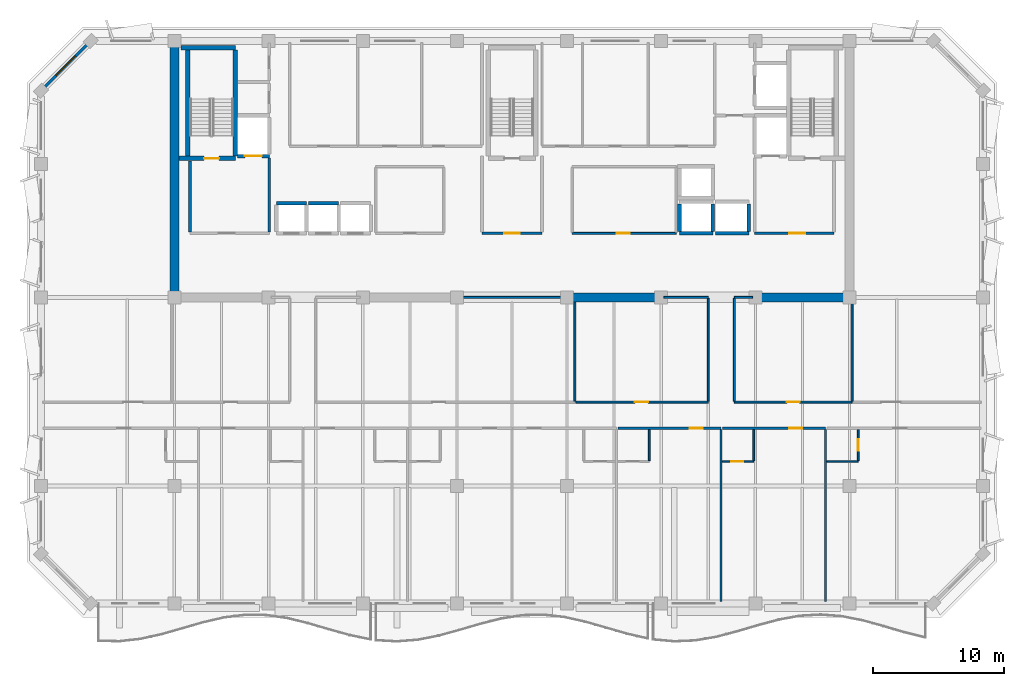
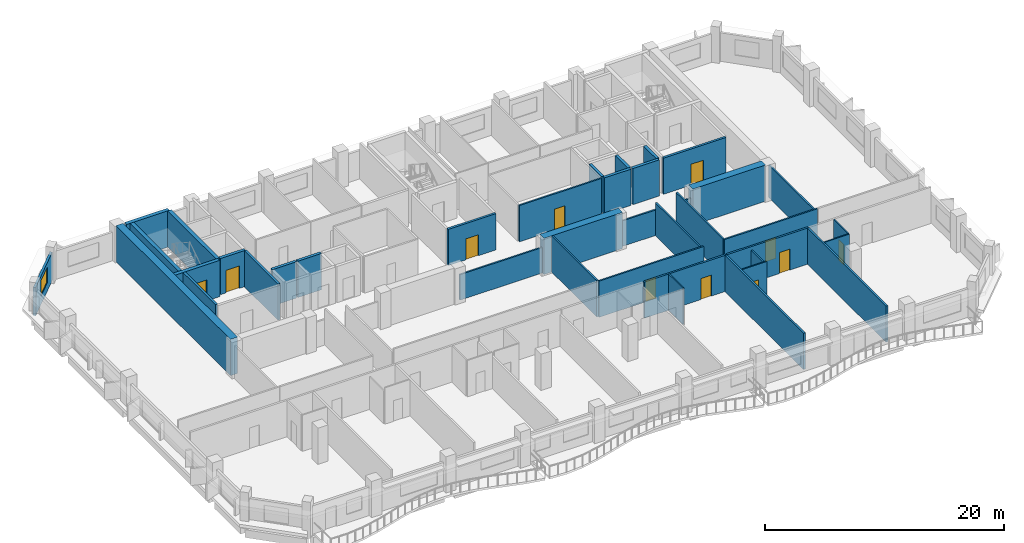
# One storey, part 5 of 11: 39 walls, 11 doors, 1 window, 12 openings.
"""IFC4 building model written with IfcOpenShell, lengths in metres."""

from ifc_helpers import new_model, si_unit, direction, frame, frame_2d, origin, place, context, subcontext, project, spatial, rectangle, extrude, material, layer, layer_set, type_object, element, fill, save


model = new_model("IFC4")

# Units and contexts
model_context = context("Model", 3, precision=1e-05, world=origin(), true_north=direction((0.0, 1.0)))
body_context = subcontext(model_context, "Body", "Model", "MODEL_VIEW")
ifc_project = project(units=[si_unit("LENGTHUNIT", "METRE"), si_unit("AREAUNIT", "SQUARE_METRE"), si_unit("VOLUMEUNIT", "CUBIC_METRE"), si_unit("PLANEANGLEUNIT", "RADIAN"), si_unit("MASSUNIT", "GRAM", prefix="KILO")], contexts=[model_context])

# Site, building, storey
site_placement = place(None, origin())
site = spatial("IfcSite", under=ifc_project, at=site_placement, CompositionType="ELEMENT")
building_placement = place(site_placement, origin())
building = spatial("IfcBuilding", under=site, at=building_placement, Name="Kaelvorn Grand Hotel", CompositionType="ELEMENT")
storey_placement = place(building_placement, frame((0.0, 0.0, 252.85009765625)))
storey = spatial("IfcBuildingStorey", under=building, at=storey_placement, Name="L62", CompositionType="ELEMENT", Elevation=252.85009765625)

# Walls
ifc_material_1 = material(Name="Concrete C50/60", Category="concrete")
ifc_layer_1 = layer(ifc_material_1, 0.699951171875)
ifc_layer_set_1 = layer_set([ifc_layer_1], Name="Concrete C50/60")
wall_type_1 = type_object("IfcWallType", Name="WL-CORE-700-C50", PredefinedType="SHEAR", material=ifc_layer_set_1)
wall_1_placement = place(storey_placement, frame((16.199951171875, 29.39990234375, 0.0), z_axis=(0.0, 0.0, 1.0), x_axis=(0.0, 1.0, 0.0)))
element("IfcWall", 1, at=wall_1_placement, inside=storey, type_object=wall_type_1, Name="L62 Rear-Core West Shear Wall", PredefinedType="SHEAR", context=body_context, shape_type="SweptSolid", body=[
    extrude(rectangle(XDim=19.2001953125, YDim=0.699951171875, at=frame_2d((9.60009765625, 0.0))), origin(), (0.0, 0.0, 1.0), 3.7099609375),
])
wall_2_placement = place(storey_placement, frame((46.0, 29.39990234375, 0.0), z_axis=(0.0, 0.0, 1.0), x_axis=(1.0, 0.0, 0.0)))
element("IfcWall", 2, at=wall_2_placement, inside=storey, type_object=wall_type_1, Name="L62 Rear-Core Coupled Shear Pier S3", PredefinedType="SHEAR", context=body_context, shape_type="SweptSolid", body=[
    extrude(rectangle(XDim=7.60009765625, YDim=0.699951171875, at=frame_2d((3.800048828125, 0.0))), origin(), (0.0, 0.0, 1.0), 3.7099609375),
])
wall_3_placement = place(storey_placement, frame((60.39990234375, 29.39990234375, 0.0), z_axis=(0.0, 0.0, 1.0), x_axis=(1.0, 0.0, 0.0)))
element("IfcWall", 3, at=wall_3_placement, inside=storey, type_object=wall_type_1, Name="L62 Rear-Core Coupled Shear Pier S4", PredefinedType="SHEAR", context=body_context, shape_type="SweptSolid", body=[
    extrude(rectangle(XDim=7.045166015625, YDim=0.699951171875, at=frame_2d((3.5224609375, 0.0))), origin(), (0.0, 0.0, 1.0), 3.7099609375),
])

# Wall, opening, window
ifc_material_2 = material(Name="Concrete C40/50", Category="concrete")
ifc_layer_2 = layer(ifc_material_2, 0.219970703125)
ifc_layer_set_2 = layer_set([ifc_layer_2], Name="Concrete C40/50")
wall_type_2 = type_object("IfcWallType", Name="WL-EXT-220-C40", PredefinedType="SOLIDWALL", material=ifc_layer_set_2)
wall_4_placement = place(storey_placement, frame((9.800048828125, 49.0, 0.0), z_axis=(0.0, 0.0, 1.0), x_axis=(-0.707106781187, -0.707106781187, 0.0)))
wall_4 = element("IfcWall", 4, at=wall_4_placement, inside=storey, type_object=wall_type_2, Name="L62 Exterior Architectural Concrete Wall 06", PredefinedType="SOLIDWALL", context=body_context, shape_type="SweptSolid", body=[
    extrude(rectangle(XDim=5.3740234375, YDim=0.219970703125, at=frame_2d((2.68701171875, 0.0))), origin(), (0.0, 0.0, 1.0), 2.909912109375),
])
opening_1_placement = place(wall_4_placement, frame((1.636962890625, 0.0, 0.85009765625)))
opening_1 = element("IfcOpeningElement", 5, at=opening_1_placement, cuts=wall_4, Name="Opening W7", PredefinedType="OPENING", context=body_context, shape_type="SweptSolid", body=[
    extrude(rectangle(XDim=2.10009765625, YDim=1.60009765625, at=frame_2d((1.050048828125, 0.800048828125))), frame((0.0, 0.1201171875, 0.0), z_axis=(0.0, -1.0, 0.0), x_axis=(1.0, 0.0, 0.0)), (0.0, 0.0, 1.0), 0.239990234375),
])
ifc_material_3 = material(Name="Laminated Low-E Glass", Category="glass")
window_type = type_object("IfcWindowType", Name="WIN-CHM-2100x1600", PartitioningType="SINGLE_PANEL", PredefinedType="WINDOW", material=ifc_material_3)
window_placement = place(opening_1_placement, origin())
window = element("IfcWindow", 6, at=window_placement, inside=storey, type_object=window_type, Name="L62 Chamfered 45-Degree Corner Window NW", OverallHeight=1.60009765625, OverallWidth=2.10009765625, PartitioningType="SINGLE_PANEL", PredefinedType="WINDOW", context=body_context, shape_type="SweptSolid", body=[
    extrude(rectangle(XDim=2.10009765625, YDim=1.60009765625, at=frame_2d((1.050048828125, 0.800048828125))), frame((0.0, 0.030029296875, 0.0), z_axis=(0.0, -1.0, 0.0), x_axis=(1.0, 0.0, 0.0)), (0.0, 0.0, 1.0), 0.06005859375),
])
fill(opening_1, window)

# Wall
ifc_material_4 = material(Name="Moisture-Resistant Tile & Stud Board")
ifc_layer_3 = layer(ifc_material_4, 0.125)
ifc_layer_set_3 = layer_set([ifc_layer_3], Name="Moisture-Resistant Tile & Stud Board")
wall_type_3 = type_object("IfcWallType", Name="WL-PART-125-WET", PredefinedType="PARTITIONING", material=ifc_layer_set_3)
wall_5_placement = place(storey_placement, frame((52.487548828125, 16.91748046875, 0.0), z_axis=(0.0, 0.0, 1.0), x_axis=(0.0, 1.0, 0.0)))
element("IfcWall", 7, at=wall_5_placement, inside=storey, type_object=wall_type_3, Name="L62 En-suite Bathroom L62-06 E Partition", PredefinedType="PARTITIONING", context=body_context, shape_type="SweptSolid", body=[
    extrude(rectangle(XDim=2.387451171875, YDim=0.125, at=frame_2d((1.19384765625, 0.0))), origin(), (0.0, 0.0, 1.0), 3.7099609375),
])

# Wall, opening, door
wall_6_placement = place(storey_placement, frame((58.070068359375, 16.85009765625, 0.0), z_axis=(0.0, 0.0, 1.0), x_axis=(1.0, 0.0, 0.0)))
wall_6 = element("IfcWall", 8, at=wall_6_placement, inside=storey, type_object=wall_type_3, Name="L62 En-suite Bathroom L62-07 S Partition", PredefinedType="PARTITIONING", context=body_context, shape_type="SweptSolid", body=[
    extrude(rectangle(XDim=2.405029296875, YDim=0.125, at=frame_2d((1.20263671875, 0.0))), origin(), (0.0, 0.0, 1.0), 3.7099609375),
])
opening_2_placement = place(wall_6_placement, frame((0.705078125, 0.0, 0.0)))
opening_2 = element("IfcOpeningElement", 9, at=opening_2_placement, cuts=wall_6, Name="Opening DI4", PredefinedType="OPENING", context=body_context, shape_type="SweptSolid", body=[
    extrude(rectangle(XDim=0.89990234375, YDim=2.10009765625, at=frame_2d((0.449951171875, 1.050048828125))), frame((0.0, 0.072509765625, 0.0), z_axis=(0.0, -1.0, 0.0), x_axis=(1.0, 0.0, 0.0)), (0.0, 0.0, 1.0), 0.14501953125),
])
ifc_material_5 = material(Name="Timber Veneer Leaf", Category="wood")
door_type_1 = type_object("IfcDoorType", Name="DR-INT-BATH-900x2100", OperationType="NOTDEFINED", PredefinedType="DOOR", material=ifc_material_5)
door_1_placement = place(opening_2_placement, origin())
door_1 = element("IfcDoor", 10, at=door_1_placement, inside=storey, type_object=door_type_1, Name="L62 En-suite Bathroom L62-07 Door", OperationType="SINGLE_SWING_RIGHT", OverallHeight=2.10009765625, OverallWidth=0.89990234375, PredefinedType="DOOR", context=body_context, shape_type="SweptSolid", body=[
    extrude(rectangle(XDim=0.89990234375, YDim=2.10009765625, at=frame_2d((0.449951171875, 1.050048828125))), frame((0.0, 0.02490234375, 0.0), z_axis=(0.0, -1.0, 0.0), x_axis=(1.0, 0.0, 0.0)), (0.0, 0.0, 1.0), 0.050048828125),
])
fill(opening_2, door_1)

# Walls
wall_7_placement = place(storey_placement, frame((60.47509765625, 16.91748046875, 0.0), z_axis=(0.0, 0.0, 1.0), x_axis=(0.0, 1.0, 0.0)))
element("IfcWall", 11, at=wall_7_placement, inside=storey, type_object=wall_type_3, Name="L62 En-suite Bathroom L62-07 E Partition", PredefinedType="PARTITIONING", context=body_context, shape_type="SweptSolid", body=[
    extrude(rectangle(XDim=2.387451171875, YDim=0.125, at=frame_2d((1.19384765625, 0.0))), origin(), (0.0, 0.0, 1.0), 3.349853515625),
])
wall_8_placement = place(storey_placement, frame((66.0576171875, 16.85009765625, 0.0), z_axis=(0.0, 0.0, 1.0), x_axis=(1.0, 0.0, 0.0)))
element("IfcWall", 12, at=wall_8_placement, inside=storey, type_object=wall_type_3, Name="L62 En-suite Bathroom L62-08 S Partition", PredefinedType="PARTITIONING", context=body_context, shape_type="SweptSolid", body=[
    extrude(rectangle(XDim=2.40478515625, YDim=0.125, at=frame_2d((1.202392578125, 0.0))), origin(), (0.0, 0.0, 1.0), 3.7099609375),
])

# Wall, opening, door
wall_9_placement = place(storey_placement, frame((68.46240234375, 16.91748046875, 0.0), z_axis=(0.0, 0.0, 1.0), x_axis=(0.0, 1.0, 0.0)))
wall_9 = element("IfcWall", 13, at=wall_9_placement, inside=storey, type_object=wall_type_3, Name="L62 En-suite Bathroom L62-08 E Partition", PredefinedType="PARTITIONING", context=body_context, shape_type="SweptSolid", body=[
    extrude(rectangle(XDim=2.387451171875, YDim=0.125, at=frame_2d((1.19384765625, 0.0))), origin(), (0.0, 0.0, 1.0), 3.7099609375),
])
opening_3_placement = place(wall_9_placement, frame((0.757568359375, 0.0, 0.0)))
opening_3 = element("IfcOpeningElement", 14, at=opening_3_placement, cuts=wall_9, Name="Opening DI4", PredefinedType="OPENING", context=body_context, shape_type="SweptSolid", body=[
    extrude(rectangle(XDim=0.89990234375, YDim=2.10009765625, at=frame_2d((0.449951171875, 1.050048828125))), frame((0.0, 0.072509765625, 0.0), z_axis=(0.0, -1.0, 0.0), x_axis=(1.0, 0.0, 0.0)), (0.0, 0.0, 1.0), 0.14501953125),
])
door_2_placement = place(opening_3_placement, origin())
door_2 = element("IfcDoor", 15, at=door_2_placement, inside=storey, type_object=door_type_1, Name="L62 En-suite Bathroom L62-08 Door", OperationType="SINGLE_SWING_RIGHT", OverallHeight=2.10009765625, OverallWidth=0.89990234375, PredefinedType="DOOR", context=body_context, shape_type="SweptSolid", body=[
    extrude(rectangle(XDim=0.89990234375, YDim=2.10009765625, at=frame_2d((0.449951171875, 1.050048828125))), frame((0.0, 0.02490234375, 0.0), z_axis=(0.0, -1.0, 0.0), x_axis=(1.0, 0.0, 0.0)), (0.0, 0.0, 1.0), 0.050048828125),
])
fill(opening_3, door_2)

ifc_material_6 = material(Name="Acoustic Gypsum & Stud Partition")
ifc_layer_4 = layer(ifc_material_6, 0.14990234375)
ifc_layer_set_4 = layer_set([ifc_layer_4], Name="Acoustic Gypsum & Stud Partition")
wall_type_4 = type_object("IfcWallType", Name="WL-PART-150-EI60", PredefinedType="PARTITIONING", material=ifc_layer_set_4)
wall_10_placement = place(storey_placement, frame((46.60009765625, 34.300048828125, 0.0), z_axis=(0.0, 0.0, 1.0), x_axis=(1.0, 0.0, 0.0)))
wall_10 = element("IfcWall", 16, at=wall_10_placement, inside=storey, type_object=wall_type_4, Name="L62 Sky Concierge & Butler Pantry Lounge S Partition", PredefinedType="PARTITIONING", context=body_context, shape_type="SweptSolid", body=[
    extrude(rectangle(XDim=7.949951171875, YDim=0.14990234375, at=frame_2d((3.97509765625, 0.0))), origin(), (0.0, 0.0, 1.0), 3.7099609375),
])
opening_4_placement = place(wall_10_placement, frame((3.39990234375, 0.0, 0.0)))
opening_4 = element("IfcOpeningElement", 17, at=opening_4_placement, cuts=wall_10, Name="Opening DI3", PredefinedType="OPENING", context=body_context, shape_type="SweptSolid", body=[
    extrude(rectangle(XDim=1.0, YDim=2.14990234375, at=frame_2d((0.5, 1.074951171875))), frame((0.0, 0.0849609375, 0.0), z_axis=(0.0, -1.0, 0.0), x_axis=(1.0, 0.0, 0.0)), (0.0, 0.0, 1.0), 0.169921875),
])
ifc_material_7 = material(Name="Timber Veneer Fire Leaf", Category="wood")
door_type_2 = type_object("IfcDoorType", Name="DR-INT-GUEST-1000x2150", OperationType="NOTDEFINED", PredefinedType="DOOR", material=ifc_material_7)
door_3_placement = place(opening_4_placement, origin())
door_3 = element("IfcDoor", 18, at=door_3_placement, inside=storey, type_object=door_type_2, Name="L62 Sky Concierge & Butler Pantry Lounge Door", OperationType="SINGLE_SWING_RIGHT", OverallHeight=2.14990234375, OverallWidth=1.0, PredefinedType="DOOR", context=body_context, shape_type="SweptSolid", body=[
    extrude(rectangle(XDim=1.0, YDim=2.14990234375, at=frame_2d((0.5, 1.074951171875))), frame((0.0, 0.02490234375, 0.0), z_axis=(0.0, -1.0, 0.0), x_axis=(1.0, 0.0, 0.0)), (0.0, 0.0, 1.0), 0.050048828125),
])
fill(opening_4, door_3)

# Walls
wall_11_placement = place(storey_placement, frame((38.010009765625, 29.39990234375, 0.0), z_axis=(0.0, 0.0, 1.0), x_axis=(1.0, 0.0, 0.0)))
element("IfcWall", 19, at=wall_11_placement, inside=storey, type_object=wall_type_4, Name="L62 Hospitality Tea Kitchen N Partition (2)", PredefinedType="PARTITIONING", context=body_context, shape_type="SweptSolid", body=[
    extrude(rectangle(XDim=7.97998046875, YDim=0.14990234375, at=frame_2d((3.989990234375, 0.0))), origin(), (0.0, 0.0, 1.0), 2.60986328125),
])
wall_12_placement = place(storey_placement, frame((46.800048828125, 21.47998046875, 0.0), z_axis=(0.0, 0.0, 1.0), x_axis=(0.0, 1.0, 0.0)))
element("IfcWall", 20, at=wall_12_placement, inside=storey, type_object=wall_type_4, Name="L62 Hospitality Tea Kitchen E Partition", PredefinedType="PARTITIONING", context=body_context, shape_type="SweptSolid", body=[
    extrude(rectangle(XDim=7.56494140625, YDim=0.14990234375, at=frame_2d((3.782470703125, 0.0))), origin(), (0.0, 0.0, 1.0), 3.7099609375),
])

# Wall, opening, door
wall_13_placement = place(storey_placement, frame((46.8798828125, 21.39990234375, 0.0), z_axis=(0.0, 0.0, 1.0), x_axis=(1.0, 0.0, 0.0)))
wall_13 = element("IfcWall", 21, at=wall_13_placement, inside=storey, type_object=wall_type_4, Name="L62 Executive Study Office S Partition", PredefinedType="PARTITIONING", context=body_context, shape_type="SweptSolid", body=[
    extrude(rectangle(XDim=10.1201171875, YDim=0.14990234375, at=frame_2d((5.06005859375, 0.0))), origin(), (0.0, 0.0, 1.0), 3.7099609375),
])
opening_5_placement = place(wall_13_placement, frame((4.52001953125, 0.0, 0.0)))
opening_5 = element("IfcOpeningElement", 22, at=opening_5_placement, cuts=wall_13, Name="Opening DI3", PredefinedType="OPENING", context=body_context, shape_type="SweptSolid", body=[
    extrude(rectangle(XDim=1.0, YDim=2.14990234375, at=frame_2d((0.5, 1.074951171875))), frame((0.0, 0.0849609375, 0.0), z_axis=(0.0, -1.0, 0.0), x_axis=(1.0, 0.0, 0.0)), (0.0, 0.0, 1.0), 0.169921875),
])
door_4_placement = place(opening_5_placement, origin())
door_4 = element("IfcDoor", 23, at=door_4_placement, inside=storey, type_object=door_type_2, Name="L62 Executive Study Office Door", OperationType="SINGLE_SWING_LEFT", OverallHeight=2.14990234375, OverallWidth=1.0, PredefinedType="DOOR", context=body_context, shape_type="SweptSolid", body=[
    extrude(rectangle(XDim=1.0, YDim=2.14990234375, at=frame_2d((0.5, 1.074951171875))), frame((0.0, 0.02490234375, 0.0), z_axis=(0.0, -1.0, 0.0), x_axis=(1.0, 0.0, 0.0)), (0.0, 0.0, 1.0), 0.050048828125),
])
fill(opening_5, door_4)

# Walls
wall_14_placement = place(storey_placement, frame((53.610107421875, 29.39990234375, 0.0), z_axis=(0.0, 0.0, 1.0), x_axis=(1.0, 0.0, 0.0)))
element("IfcWall", 24, at=wall_14_placement, inside=storey, type_object=wall_type_4, Name="L62 Executive Study Office N Partition", PredefinedType="PARTITIONING", context=body_context, shape_type="SweptSolid", body=[
    extrude(rectangle(XDim=3.389892578125, YDim=0.14990234375, at=frame_2d((1.69482421875, 0.0))), origin(), (0.0, 0.0, 1.0), 2.60986328125),
])
wall_15_placement = place(storey_placement, frame((57.0, 21.47998046875, 0.0), z_axis=(0.0, 0.0, 1.0), x_axis=(0.0, 1.0, 0.0)))
element("IfcWall", 25, at=wall_15_placement, inside=storey, type_object=wall_type_4, Name="L62 Executive Study Office E Partition", PredefinedType="PARTITIONING", context=body_context, shape_type="SweptSolid", body=[
    extrude(rectangle(XDim=7.840087890625, YDim=0.14990234375, at=frame_2d((3.919921875, 0.0))), origin(), (0.0, 0.0, 1.0), 3.349853515625),
])

# Wall, opening, door
wall_16_placement = place(storey_placement, frame((59.0, 21.39990234375, 0.0), z_axis=(0.0, 0.0, 1.0), x_axis=(1.0, 0.0, 0.0)))
wall_16 = element("IfcWall", 26, at=wall_16_placement, inside=storey, type_object=wall_type_4, Name="L62 Wellness Fitness Gym S Partition", PredefinedType="PARTITIONING", context=body_context, shape_type="SweptSolid", body=[
    extrude(rectangle(XDim=9.0, YDim=0.14990234375, at=frame_2d((4.5, 0.0))), origin(), (0.0, 0.0, 1.0), 3.7099609375),
])
opening_6_placement = place(wall_16_placement, frame((4.0, 0.0, 0.0)))
opening_6 = element("IfcOpeningElement", 27, at=opening_6_placement, cuts=wall_16, Name="Opening DI3", PredefinedType="OPENING", context=body_context, shape_type="SweptSolid", body=[
    extrude(rectangle(XDim=1.0, YDim=2.14990234375, at=frame_2d((0.5, 1.074951171875))), frame((0.0, 0.0849609375, 0.0), z_axis=(0.0, -1.0, 0.0), x_axis=(1.0, 0.0, 0.0)), (0.0, 0.0, 1.0), 0.169921875),
])
door_5_placement = place(opening_6_placement, origin())
door_5 = element("IfcDoor", 28, at=door_5_placement, inside=storey, type_object=door_type_2, Name="L62 Wellness Fitness Gym Door", OperationType="SINGLE_SWING_RIGHT", OverallHeight=2.14990234375, OverallWidth=1.0, PredefinedType="DOOR", context=body_context, shape_type="SweptSolid", body=[
    extrude(rectangle(XDim=1.0, YDim=2.14990234375, at=frame_2d((0.5, 1.074951171875))), frame((0.0, 0.02490234375, 0.0), z_axis=(0.0, -1.0, 0.0), x_axis=(1.0, 0.0, 0.0)), (0.0, 0.0, 1.0), 0.050048828125),
])
fill(opening_6, door_5)

# Walls
wall_17_placement = place(storey_placement, frame((59.0, 29.39990234375, 0.0), z_axis=(0.0, 0.0, 1.0), x_axis=(1.0, 0.0, 0.0)))
element("IfcWall", 29, at=wall_17_placement, inside=storey, type_object=wall_type_4, Name="L62 Wellness Fitness Gym N Partition", PredefinedType="PARTITIONING", context=body_context, shape_type="SweptSolid", body=[
    extrude(rectangle(XDim=1.389892578125, YDim=0.14990234375, at=frame_2d((0.69482421875, 0.0))), origin(), (0.0, 0.0, 1.0), 2.60986328125),
])
wall_18_placement = place(storey_placement, frame((59.0, 21.47998046875, 0.0), z_axis=(0.0, 0.0, 1.0), x_axis=(0.0, 1.0, 0.0)))
element("IfcWall", 30, at=wall_18_placement, inside=storey, type_object=wall_type_4, Name="L62 Wellness Fitness Gym W Partition", PredefinedType="PARTITIONING", context=body_context, shape_type="SweptSolid", body=[
    extrude(rectangle(XDim=7.840087890625, YDim=0.14990234375, at=frame_2d((3.919921875, 0.0))), origin(), (0.0, 0.0, 1.0), 3.7099609375),
])
wall_19_placement = place(storey_placement, frame((68.0, 21.47998046875, 0.0), z_axis=(0.0, 0.0, 1.0), x_axis=(0.0, 1.0, 0.0)))
element("IfcWall", 31, at=wall_19_placement, inside=storey, type_object=wall_type_4, Name="L62 Wellness Fitness Gym E Partition", PredefinedType="PARTITIONING", context=body_context, shape_type="SweptSolid", body=[
    extrude(rectangle(XDim=7.909912109375, YDim=0.14990234375, at=frame_2d((3.955078125, 0.0))), origin(), (0.0, 0.0, 1.0), 3.349853515625),
])

# Wall, opening, door
ifc_layer_5 = layer(ifc_material_6, 0.179931640625)
ifc_layer_set_5 = layer_set([ifc_layer_5], Name="Acoustic Gypsum & Stud Partition")
wall_type_5 = type_object("IfcWallType", Name="WL-PART-180-EI60", PredefinedType="PARTITIONING", material=ifc_layer_set_5)
wall_20_placement = place(storey_placement, frame((50.08251953125, 19.39990234375, 0.0), z_axis=(0.0, 0.0, 1.0), x_axis=(1.0, 0.0, 0.0)))
wall_20 = element("IfcWall", 32, at=wall_20_placement, inside=storey, type_object=wall_type_5, Name="L62 Ambassador Junior Suite L62-06 N Partition", PredefinedType="PARTITIONING", context=body_context, shape_type="SweptSolid", body=[
    extrude(rectangle(XDim=7.892578125, YDim=0.179931640625, at=frame_2d((3.9462890625, 0.0))), origin(), (0.0, 0.0, 1.0), 3.7099609375),
])
opening_7_placement = place(wall_20_placement, frame((5.4951171875, 0.0, 0.0)))
opening_7 = element("IfcOpeningElement", 33, at=opening_7_placement, cuts=wall_20, Name="Opening DI3", PredefinedType="OPENING", context=body_context, shape_type="SweptSolid", body=[
    extrude(rectangle(XDim=1.0, YDim=2.14990234375, at=frame_2d((0.5, 1.074951171875))), frame((0.0, 0.10009765625, 0.0), z_axis=(0.0, -1.0, 0.0), x_axis=(1.0, 0.0, 0.0)), (0.0, 0.0, 1.0), 0.199951171875),
])
door_6_placement = place(opening_7_placement, origin())
door_6 = element("IfcDoor", 34, at=door_6_placement, inside=storey, type_object=door_type_2, Name="L62 Ambassador Junior Suite L62-06 Door", OperationType="SINGLE_SWING_LEFT", OverallHeight=2.14990234375, OverallWidth=1.0, PredefinedType="DOOR", context=body_context, shape_type="SweptSolid", body=[
    extrude(rectangle(XDim=1.0, YDim=2.14990234375, at=frame_2d((0.5, 1.074951171875))), frame((0.0, 0.02490234375, 0.0), z_axis=(0.0, -1.0, 0.0), x_axis=(1.0, 0.0, 0.0)), (0.0, 0.0, 1.0), 0.050048828125),
])
fill(opening_7, door_6)

# Wall
wall_21_placement = place(storey_placement, frame((57.97509765625, 6.14990234375, 0.0), z_axis=(0.0, 0.0, 1.0), x_axis=(0.0, 1.0, 0.0)))
element("IfcWall", 35, at=wall_21_placement, inside=storey, type_object=wall_type_5, Name="L62 Ambassador Junior Suite L62-06 E Partition", PredefinedType="PARTITIONING", context=body_context, shape_type="SweptSolid", body=[
    extrude(rectangle(XDim=13.155029296875, YDim=0.179931640625, at=frame_2d((6.57763671875, 0.0))), origin(), (0.0, 0.0, 1.0), 3.7099609375),
])

# Wall, opening, door
wall_22_placement = place(storey_placement, frame((58.070068359375, 19.39990234375, 0.0), z_axis=(0.0, 0.0, 1.0), x_axis=(1.0, 0.0, 0.0)))
wall_22 = element("IfcWall", 36, at=wall_22_placement, inside=storey, type_object=wall_type_5, Name="L62 Ambassador Sky Suite L62-07 N Partition", PredefinedType="PARTITIONING", context=body_context, shape_type="SweptSolid", body=[
    extrude(rectangle(XDim=7.892333984375, YDim=0.179931640625, at=frame_2d((3.9462890625, 0.0))), origin(), (0.0, 0.0, 1.0), 3.7099609375),
])
opening_8_placement = place(wall_22_placement, frame((5.101318359375, 0.0, 0.0)))
opening_8 = element("IfcOpeningElement", 37, at=opening_8_placement, cuts=wall_22, Name="Opening DI3", PredefinedType="OPENING", context=body_context, shape_type="SweptSolid", body=[
    extrude(rectangle(XDim=1.0, YDim=2.14990234375, at=frame_2d((0.5, 1.074951171875))), frame((0.0, 0.10009765625, 0.0), z_axis=(0.0, -1.0, 0.0), x_axis=(1.0, 0.0, 0.0)), (0.0, 0.0, 1.0), 0.199951171875),
])
door_7_placement = place(opening_8_placement, origin())
door_7 = element("IfcDoor", 38, at=door_7_placement, inside=storey, type_object=door_type_2, Name="L62 Ambassador Sky Suite L62-07 Door", OperationType="SINGLE_SWING_LEFT", OverallHeight=2.14990234375, OverallWidth=1.0, PredefinedType="DOOR", context=body_context, shape_type="SweptSolid", body=[
    extrude(rectangle(XDim=1.0, YDim=2.14990234375, at=frame_2d((0.5, 1.074951171875))), frame((0.0, 0.02490234375, 0.0), z_axis=(0.0, -1.0, 0.0), x_axis=(1.0, 0.0, 0.0)), (0.0, 0.0, 1.0), 0.050048828125),
])
fill(opening_8, door_7)

# Walls
wall_23_placement = place(storey_placement, frame((65.96240234375, 6.14990234375, 0.0), z_axis=(0.0, 0.0, 1.0), x_axis=(0.0, 1.0, 0.0)))
element("IfcWall", 39, at=wall_23_placement, inside=storey, type_object=wall_type_5, Name="L62 Ambassador Sky Suite L62-07 E Partition", PredefinedType="PARTITIONING", context=body_context, shape_type="SweptSolid", body=[
    extrude(rectangle(XDim=13.155029296875, YDim=0.179931640625, at=frame_2d((6.57763671875, 0.0))), origin(), (0.0, 0.0, 1.0), 3.7099609375),
])
ifc_layer_6 = layer(ifc_material_2, 0.219970703125)
ifc_layer_set_6 = layer_set([ifc_layer_6], Name="Concrete C40/50")
wall_type_6 = type_object("IfcWallType", Name="WL-PART-220-EI120", PredefinedType="PARTITIONING", material=ifc_layer_set_6)
wall_24_placement = place(storey_placement, frame((17.39990234375, 34.4150390625, 0.0), z_axis=(0.0, 0.0, 1.0), x_axis=(0.0, 1.0, 0.0)))
element("IfcWall", 40, at=wall_24_placement, inside=storey, type_object=wall_type_6, Name="L62 Firefighting Lift Lobby 1 W Partition", PredefinedType="PARTITIONING", context=body_context, shape_type="SweptSolid", body=[
    extrude(rectangle(XDim=5.429931640625, YDim=0.219970703125, at=frame_2d((2.71484375, 0.0))), origin(), (0.0, 0.0, 1.0), 3.7099609375),
])
wall_25_placement = place(storey_placement, frame((23.449951171875, 34.4150390625, 0.0), z_axis=(0.0, 0.0, 1.0), x_axis=(0.0, 1.0, 0.0)))
element("IfcWall", 41, at=wall_25_placement, inside=storey, type_object=wall_type_6, Name="L62 Firefighting Lift Lobby 1 E Partition", PredefinedType="PARTITIONING", context=body_context, shape_type="SweptSolid", body=[
    extrude(rectangle(XDim=5.639892578125, YDim=0.219970703125, at=frame_2d((2.81982421875, 0.0))), origin(), (0.0, 0.0, 1.0), 3.7099609375),
])

# Wall, opening, door
wall_26_placement = place(storey_placement, frame((60.550048828125, 34.300048828125, 0.0), z_axis=(0.0, 0.0, 1.0), x_axis=(1.0, 0.0, 0.0)))
wall_26 = element("IfcWall", 42, at=wall_26_placement, inside=storey, type_object=wall_type_6, Name="L62 Firefighting Lift Lobby 2 S Partition", PredefinedType="PARTITIONING", context=body_context, shape_type="SweptSolid", body=[
    extrude(rectangle(XDim=6.050048828125, YDim=0.219970703125, at=frame_2d((3.02490234375, 0.0))), origin(), (0.0, 0.0, 1.0), 3.7099609375),
])
opening_9_placement = place(wall_26_placement, frame((2.64990234375, 0.0, 0.0)))
opening_9 = element("IfcOpeningElement", 43, at=opening_9_placement, cuts=wall_26, Name="Opening DI2", PredefinedType="OPENING", context=body_context, shape_type="SweptSolid", body=[
    extrude(rectangle(XDim=1.199951171875, YDim=2.14990234375, at=frame_2d((0.60009765625, 1.074951171875))), frame((0.0, 0.1201171875, 0.0), z_axis=(0.0, -1.0, 0.0), x_axis=(1.0, 0.0, 0.0)), (0.0, 0.0, 1.0), 0.239990234375),
])
door_type_3 = type_object("IfcDoorType", Name="DR-INT-FFLOB-1200x2150", OperationType="NOTDEFINED", PredefinedType="DOOR", material=ifc_material_7)
door_8_placement = place(opening_9_placement, origin())
door_8 = element("IfcDoor", 44, at=door_8_placement, inside=storey, type_object=door_type_3, Name="L62 Firefighting Lift Lobby 2 Door", OperationType="SINGLE_SWING_RIGHT", OverallHeight=2.14990234375, OverallWidth=1.199951171875, PredefinedType="DOOR", context=body_context, shape_type="SweptSolid", body=[
    extrude(rectangle(XDim=1.199951171875, YDim=2.14990234375, at=frame_2d((0.60009765625, 1.074951171875))), frame((0.0, 0.02490234375, 0.0), z_axis=(0.0, -1.0, 0.0), x_axis=(1.0, 0.0, 0.0)), (0.0, 0.0, 1.0), 0.050048828125),
])
fill(opening_9, door_8)

wall_27_placement = place(storey_placement, frame((39.699951171875, 34.300048828125, 0.0), z_axis=(0.0, 0.0, 1.0), x_axis=(1.0, 0.0, 0.0)))
wall_27 = element("IfcWall", 45, at=wall_27_placement, inside=storey, type_object=wall_type_6, Name="L62 Central Stair Escape Vestibule S Partition", PredefinedType="PARTITIONING", context=body_context, shape_type="SweptSolid", body=[
    extrude(rectangle(XDim=4.60009765625, YDim=0.219970703125, at=frame_2d((2.300048828125, 0.0))), origin(), (0.0, 0.0, 1.0), 3.7099609375),
])
opening_10_placement = place(wall_27_placement, frame((1.699951171875, 0.0, 0.0)))
opening_10 = element("IfcOpeningElement", 46, at=opening_10_placement, cuts=wall_27, Name="Opening DI2", PredefinedType="OPENING", context=body_context, shape_type="SweptSolid", body=[
    extrude(rectangle(XDim=1.199951171875, YDim=2.14990234375, at=frame_2d((0.60009765625, 1.074951171875))), frame((0.0, 0.1201171875, 0.0), z_axis=(0.0, -1.0, 0.0), x_axis=(1.0, 0.0, 0.0)), (0.0, 0.0, 1.0), 0.239990234375),
])
door_9_placement = place(opening_10_placement, origin())
door_9 = element("IfcDoor", 47, at=door_9_placement, inside=storey, type_object=door_type_3, Name="L62 Central Stair Escape Vestibule Door", OperationType="SINGLE_SWING_LEFT", OverallHeight=2.14990234375, OverallWidth=1.199951171875, PredefinedType="DOOR", context=body_context, shape_type="SweptSolid", body=[
    extrude(rectangle(XDim=1.199951171875, YDim=2.14990234375, at=frame_2d((0.60009765625, 1.074951171875))), frame((0.0, 0.02490234375, 0.0), z_axis=(0.0, -1.0, 0.0), x_axis=(1.0, 0.0, 0.0)), (0.0, 0.0, 1.0), 0.050048828125),
])
fill(opening_10, door_9)

# Walls
ifc_layer_7 = layer(ifc_material_1, 0.280029296875)
ifc_layer_set_7 = layer_set([ifc_layer_7], Name="Concrete C50/60")
wall_type_7 = type_object("IfcWallType", Name="WL-SHAFT-280-C50", PredefinedType="SHEAR", material=ifc_layer_set_7)
for number, where, z_axis, x_axis, name in (
    (48, (24.0, 36.60009765625, 0.0), (0.0, 0.0, 1.0), (1.0, 0.0, 0.0), "L62 Lift PL-H1 Shaft North Wall"),
    (49, (26.449951171875, 36.60009765625, 0.0), (0.0, 0.0, 1.0), (1.0, 0.0, 0.0), "L62 Lift PL-H2 Shaft North Wall"),
):
    element("IfcWall", number, at=place(storey_placement, frame(where, z_axis=z_axis, x_axis=x_axis)), inside=storey, type_object=wall_type_7, Name=name, PredefinedType="SHEAR", context=body_context, shape_type="SweptSolid", body=[
        extrude(rectangle(XDim=2.300048828125, YDim=0.280029296875, at=frame_2d((1.14990234375, 0.0))), origin(), (0.0, 0.0, 1.0), 3.7099609375),
    ])
wall_28_placement = place(storey_placement, frame((54.800048828125, 34.300048828125, 0.0), z_axis=(0.0, 0.0, 1.0), x_axis=(1.0, 0.0, 0.0)))
element("IfcWall", 50, at=wall_28_placement, inside=storey, type_object=wall_type_7, Name="L62 Lift OL-1 Shaft South Wall", PredefinedType="SHEAR", context=body_context, shape_type="SweptSolid", body=[
    extrude(rectangle(XDim=2.550048828125, YDim=0.280029296875, at=frame_2d((1.27490234375, 0.0))), origin(), (0.0, 0.0, 1.0), 3.7099609375),
])
for number, where, z_axis, x_axis, name in (
    (51, (54.800048828125, 34.445068359375, 0.0), (0.0, 0.0, 1.0), (0.0, 1.0, 0.0), "L62 Lift OL-1 Shaft West Wall"),
    (52, (57.35009765625, 34.445068359375, 0.0), (0.0, 0.0, 1.0), (0.0, 1.0, 0.0), "L62 Lift OL-1 Shaft East Wall"),
):
    element("IfcWall", number, at=place(storey_placement, frame(where, z_axis=z_axis, x_axis=x_axis)), inside=storey, type_object=wall_type_7, Name=name, PredefinedType="SHEAR", context=body_context, shape_type="SweptSolid", body=[
        extrude(rectangle(XDim=2.10986328125, YDim=0.280029296875, at=frame_2d((1.054931640625, 0.0))), origin(), (0.0, 0.0, 1.0), 3.7099609375),
    ])
wall_29_placement = place(storey_placement, frame((57.550048828125, 34.300048828125, 0.0), z_axis=(0.0, 0.0, 1.0), x_axis=(1.0, 0.0, 0.0)))
element("IfcWall", 53, at=wall_29_placement, inside=storey, type_object=wall_type_7, Name="L62 Lift OL-2 Shaft South Wall", PredefinedType="SHEAR", context=body_context, shape_type="SweptSolid", body=[
    extrude(rectangle(XDim=2.550048828125, YDim=0.280029296875, at=frame_2d((1.27490234375, 0.0))), origin(), (0.0, 0.0, 1.0), 3.7099609375),
])
wall_30_placement = place(storey_placement, frame((60.10009765625, 34.445068359375, 0.0), z_axis=(0.0, 0.0, 1.0), x_axis=(0.0, 1.0, 0.0)))
element("IfcWall", 54, at=wall_30_placement, inside=storey, type_object=wall_type_7, Name="L62 Lift OL-2 Shaft East Wall", PredefinedType="SHEAR", context=body_context, shape_type="SweptSolid", body=[
    extrude(rectangle(XDim=2.10986328125, YDim=0.280029296875, at=frame_2d((1.054931640625, 0.0))), origin(), (0.0, 0.0, 1.0), 3.7099609375),
])

# Wall, opening, door
wall_31_placement = place(storey_placement, frame((21.034912109375, 40.199951171875, 0.0), z_axis=(0.0, 0.0, 1.0), x_axis=(1.0, 0.0, 0.0)))
wall_31 = element("IfcWall", 55, at=wall_31_placement, inside=storey, type_object=wall_type_7, Name="L62 Lift FFL1 Shaft South Wall", PredefinedType="SHEAR", context=body_context, shape_type="SweptSolid", body=[
    extrude(rectangle(XDim=2.4150390625, YDim=0.280029296875, at=frame_2d((1.20751953125, 0.0))), origin(), (0.0, 0.0, 1.0), 3.7099609375),
])
opening_11_placement = place(wall_31_placement, frame((0.5400390625, 0.0, 0.0)))
opening_11 = element("IfcOpeningElement", 56, at=opening_11_placement, cuts=wall_31, Name="Opening LD-FFL1", PredefinedType="OPENING", context=body_context, shape_type="SweptSolid", body=[
    extrude(rectangle(XDim=1.300048828125, YDim=2.300048828125, at=frame_2d((0.64990234375, 1.14990234375))), frame((0.0, 0.14990234375, 0.0), z_axis=(0.0, -1.0, 0.0), x_axis=(1.0, 0.0, 0.0)), (0.0, 0.0, 1.0), 0.300048828125),
])
ifc_material_8 = material(Name="Stainless Steel", Category="steel")
door_type_4 = type_object("IfcDoorType", Name="DR-LIFT-SERV-1300x2300", OperationType="DOUBLE_DOOR_SLIDING", PredefinedType="DOOR", material=ifc_material_8)
door_10_placement = place(opening_11_placement, origin())
door_10 = element("IfcDoor", 57, at=door_10_placement, inside=storey, type_object=door_type_4, Name="L62 Lift FFL1 Sliding Landing Door LD-FFL1", OperationType="DOUBLE_DOOR_SLIDING", OverallHeight=2.300048828125, OverallWidth=1.300048828125, PredefinedType="DOOR", context=body_context, shape_type="SweptSolid", body=[
    extrude(rectangle(XDim=1.300048828125, YDim=2.300048828125, at=frame_2d((0.64990234375, 1.14990234375))), frame((0.0, 0.02490234375, 0.0), z_axis=(0.0, -1.0, 0.0), x_axis=(1.0, 0.0, 0.0)), (0.0, 0.0, 1.0), 0.050048828125),
])
fill(opening_11, door_10)

ifc_material_9 = material(Name="Concrete C60/75", Category="concrete")
ifc_layer_8 = layer(ifc_material_9, 0.35009765625)
ifc_layer_set_8 = layer_set([ifc_layer_8], Name="Concrete C60/75")
wall_type_8 = type_object("IfcWallType", Name="WL-SHAFT-350-C60", PredefinedType="SHEAR", material=ifc_layer_set_8)
wall_32_placement = place(storey_placement, frame((16.554931640625, 40.02490234375, 0.0), z_axis=(0.0, 0.0, 1.0), x_axis=(1.0, 0.0, 0.0)))
wall_32 = element("IfcWall", 58, at=wall_32_placement, inside=storey, type_object=wall_type_8, Name="L62 ST1 Stair Shaft South Wall", PredefinedType="SHEAR", context=body_context, shape_type="SweptSolid", body=[
    extrude(rectangle(XDim=4.300048828125, YDim=0.35009765625, at=frame_2d((2.14990234375, 0.0))), origin(), (0.0, 0.0, 1.0), 3.7099609375),
])
opening_12_placement = place(wall_32_placement, frame((1.909912109375, 0.0, 0.0)))
opening_12 = element("IfcOpeningElement", 59, at=opening_12_placement, cuts=wall_32, Name="Opening DI1", PredefinedType="OPENING", context=body_context, shape_type="SweptSolid", body=[
    extrude(rectangle(XDim=1.14990234375, YDim=2.14990234375, at=frame_2d((0.574951171875, 1.074951171875))), frame((0.0, 0.18505859375, 0.0), z_axis=(0.0, -1.0, 0.0), x_axis=(1.0, 0.0, 0.0)), (0.0, 0.0, 1.0), 0.3701171875),
])
door_type_5 = type_object("IfcDoorType", Name="DR-INT-STAIR-1150x2150", OperationType="NOTDEFINED", PredefinedType="DOOR", material=ifc_material_7)
door_11_placement = place(opening_12_placement, origin())
door_11 = element("IfcDoor", 60, at=door_11_placement, inside=storey, type_object=door_type_5, Name="L62 ST1 Exit Stair Fire Door", OperationType="SINGLE_SWING_RIGHT", OverallHeight=2.14990234375, OverallWidth=1.14990234375, PredefinedType="DOOR", context=body_context, shape_type="SweptSolid", body=[
    extrude(rectangle(XDim=1.14990234375, YDim=2.14990234375, at=frame_2d((0.574951171875, 1.074951171875))), frame((0.0, 0.02490234375, 0.0), z_axis=(0.0, -1.0, 0.0), x_axis=(1.0, 0.0, 0.0)), (0.0, 0.0, 1.0), 0.050048828125),
])
fill(opening_12, door_11)

# Walls
wall_33_placement = place(storey_placement, frame((16.705078125, 48.47509765625, 0.0), z_axis=(0.0, 0.0, 1.0), x_axis=(1.0, 0.0, 0.0)))
element("IfcWall", 61, at=wall_33_placement, inside=storey, type_object=wall_type_8, Name="L62 ST1 Stair Shaft North Wall", PredefinedType="SHEAR", context=body_context, shape_type="SweptSolid", body=[
    extrude(rectangle(XDim=4.14990234375, YDim=0.35009765625, at=frame_2d((2.074951171875, 0.0))), origin(), (0.0, 0.0, 1.0), 3.7099609375),
])
for number, where, z_axis, x_axis, name in (
    (62, (17.22509765625, 40.205078125, 0.0), (0.0, 0.0, 1.0), (0.0, 1.0, 0.0), "L62 ST1 Stair Shaft West Wall"),
    (63, (20.85498046875, 40.205078125, 0.0), (0.0, 0.0, 1.0), (0.0, 1.0, 0.0), "L62 ST1 Stair Shaft East Wall"),
):
    element("IfcWall", number, at=place(storey_placement, frame(where, z_axis=z_axis, x_axis=x_axis)), inside=storey, type_object=wall_type_8, Name=name, PredefinedType="SHEAR", context=body_context, shape_type="SweptSolid", body=[
        extrude(rectangle(XDim=8.08984375, YDim=0.35009765625, at=frame_2d((4.044921875, 0.0))), origin(), (0.0, 0.0, 1.0), 3.7099609375),
    ])

save(model, "model.ifc")
